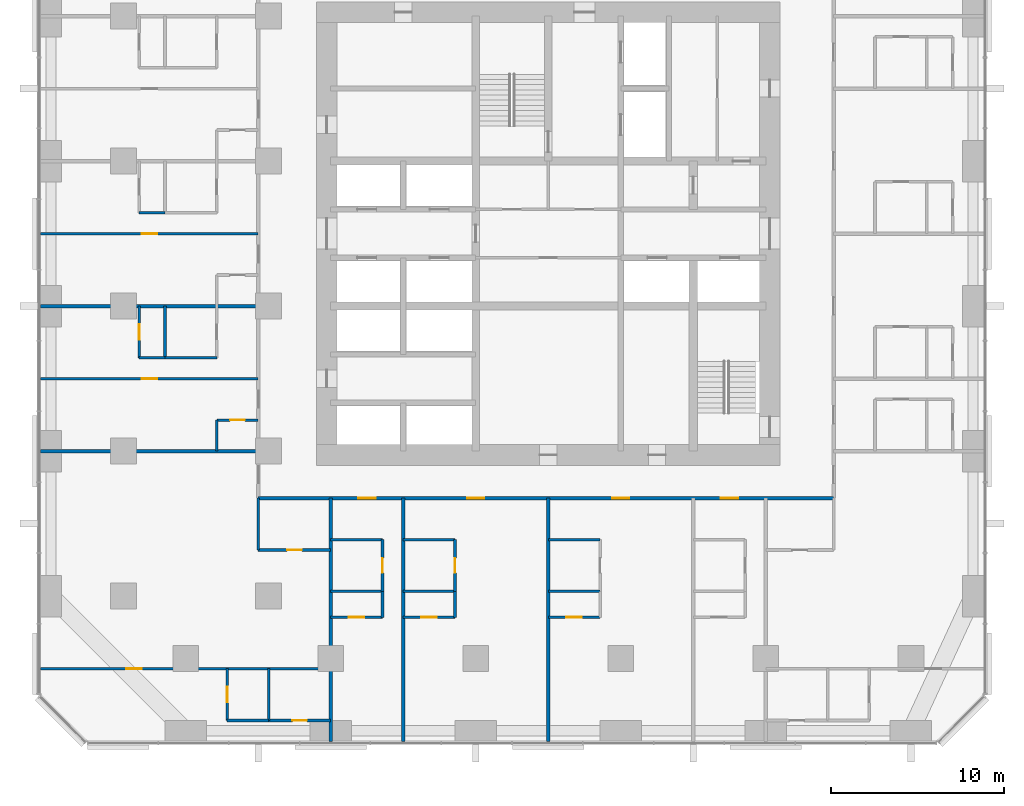
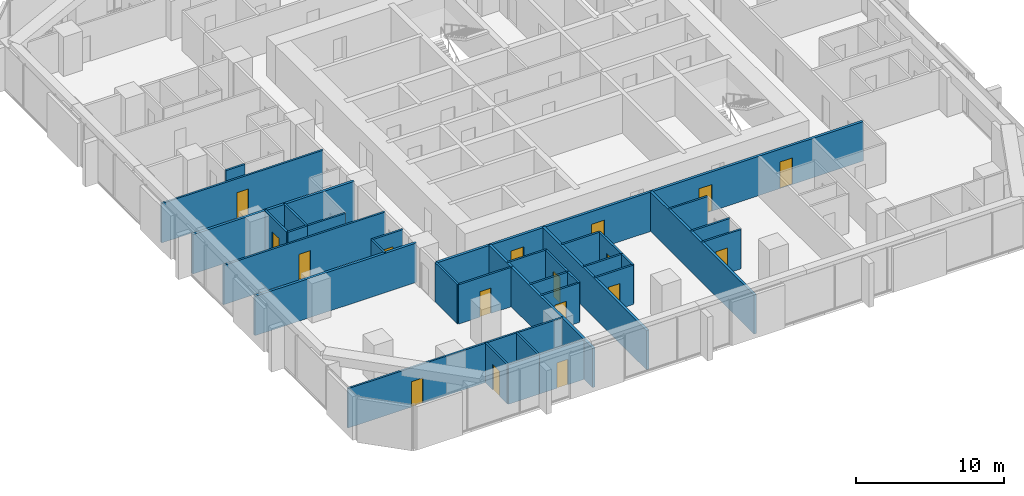
# One storey, part 8 of 14: 35 walls, 17 doors, 17 openings.
"""IFC4 building model written with IfcOpenShell, lengths in metres."""

from ifc_helpers import new_model, si_unit, direction, frame, frame_2d, origin, place, context, subcontext, project, spatial, rectangle, extrude, material, layer, layer_set, type_object, element, fill, save


model = new_model("IFC4")

# Units and contexts
model_context = context("Model", 3, precision=1e-05, world=origin(), true_north=direction((0.0, 1.0)))
body_context = subcontext(model_context, "Body", "Model", "MODEL_VIEW")
ifc_project = project(units=[si_unit("LENGTHUNIT", "METRE"), si_unit("AREAUNIT", "SQUARE_METRE"), si_unit("VOLUMEUNIT", "CUBIC_METRE"), si_unit("PLANEANGLEUNIT", "RADIAN"), si_unit("MASSUNIT", "GRAM", prefix="KILO")], contexts=[model_context])

# Site, building, storey
site_placement = place(None, origin())
site = spatial("IfcSite", under=ifc_project, at=site_placement, CompositionType="ELEMENT")
building_placement = place(site_placement, origin())
building = spatial("IfcBuilding", under=site, at=building_placement, Name="Dunama Terrace Hotel", CompositionType="ELEMENT")
storey_placement = place(building_placement, frame((0.0, 0.0, 108.0)))
storey = spatial("IfcBuildingStorey", under=building, at=storey_placement, Name="L27", CompositionType="ELEMENT", Elevation=108.0)

# Walls
ifc_material_1 = material(Name="Gypsum board partition", Category="masonry")
ifc_layer_1 = layer(ifc_material_1, 0.14990234375)
ifc_layer_set_1 = layer_set([ifc_layer_1], Name="Bathroom partition 150")
wall_type_1 = type_object("IfcWallType", Name="Bathroom partition 150", PredefinedType="PARTITIONING", material=ifc_layer_set_1)
wall_1_placement = place(storey_placement, frame((10.199951171875, 16.800048828125, 0.0), z_axis=(0.0, 0.0, 1.0), x_axis=(0.0, 1.0, 0.0)))
element("IfcWall", 1, at=wall_1_placement, inside=storey, type_object=wall_type_1, Name="Bathroom partition 150 L27", PredefinedType="PARTITIONING", context=body_context, shape_type="SweptSolid", body=[
    extrude(rectangle(XDim=1.800048828125, YDim=0.14990234375, at=frame_2d((0.89990234375, 0.0))), origin(), (0.0, 0.0, 1.0), 3.25),
])
wall_2_placement = place(storey_placement, frame((12.60009765625, 11.074951171875, 0.0), z_axis=(0.0, 0.0, 1.0), x_axis=(0.0, 1.0, 0.0)))
element("IfcWall", 2, at=wall_2_placement, inside=storey, type_object=wall_type_1, Name="Bathroom partition 150 L27", PredefinedType="PARTITIONING", context=body_context, shape_type="SweptSolid", body=[
    extrude(rectangle(XDim=3.0, YDim=0.14990234375, at=frame_2d((1.5, 0.0))), origin(), (0.0, 0.0, 1.0), 3.25),
])

# Wall, opening, door
wall_3_placement = place(storey_placement, frame((19.800048828125, 8.675048828125, 0.0), z_axis=(0.0, 0.0, 1.0), x_axis=(0.0, 1.0, 0.0)))
wall_3 = element("IfcWall", 3, at=wall_3_placement, inside=storey, type_object=wall_type_1, Name="Bathroom partition 150 L27", PredefinedType="PARTITIONING", context=body_context, shape_type="SweptSolid", body=[
    extrude(rectangle(XDim=3.0, YDim=0.14990234375, at=frame_2d((1.5, 0.0))), origin(), (0.0, 0.0, 1.0), 3.25),
])
opening_1_placement = place(wall_3_placement, frame((1.074951171875, 0.0, 0.0)))
opening_1 = element("IfcOpeningElement", 4, at=opening_1_placement, cuts=wall_3, Name="Opening L25-27-012", PredefinedType="OPENING", context=body_context, shape_type="SweptSolid", body=[
    extrude(rectangle(XDim=0.85009765625, YDim=2.10009765625, at=frame_2d((0.425048828125, 1.050048828125))), frame((0.0, 0.0849609375, 0.0), z_axis=(0.0, -1.0, 0.0), x_axis=(1.0, 0.0, 0.0)), (0.0, 0.0, 1.0), 0.169921875),
])
ifc_material_2 = material(Name="Timber door with steel frame", Category="steel")
door_type_1 = type_object("IfcDoorType", Name="Bathroom door 850", OperationType="SINGLE_SWING_LEFT", PredefinedType="DOOR", material=ifc_material_2)
door_1_placement = place(opening_1_placement, origin())
door_1 = element("IfcDoor", 5, at=door_1_placement, inside=storey, type_object=door_type_1, Name="Door to en-suite bathroom L25-27-012, type D2", OperationType="SINGLE_SWING_LEFT", OverallHeight=2.10009765625, OverallWidth=0.85009765625, PredefinedType="DOOR", context=body_context, shape_type="SweptSolid", body=[
    extrude(rectangle(XDim=0.85009765625, YDim=2.10009765625, at=frame_2d((0.425048828125, 1.050048828125))), frame((0.0, 0.02490234375, 0.0), z_axis=(0.0, -1.0, 0.0), x_axis=(1.0, 0.0, 0.0)), (0.0, 0.0, 1.0), 0.050048828125),
])
fill(opening_1, door_1)

wall_4_placement = place(storey_placement, frame((24.0, 8.675048828125, 0.0), z_axis=(0.0, 0.0, 1.0), x_axis=(0.0, 1.0, 0.0)))
wall_4 = element("IfcWall", 6, at=wall_4_placement, inside=storey, type_object=wall_type_1, Name="Bathroom partition 150 L27", PredefinedType="PARTITIONING", context=body_context, shape_type="SweptSolid", body=[
    extrude(rectangle(XDim=3.0, YDim=0.14990234375, at=frame_2d((1.5, 0.0))), origin(), (0.0, 0.0, 1.0), 3.25),
])
opening_2_placement = place(wall_4_placement, frame((1.074951171875, 0.0, 0.0)))
opening_2 = element("IfcOpeningElement", 7, at=opening_2_placement, cuts=wall_4, Name="Opening L25-27-015", PredefinedType="OPENING", context=body_context, shape_type="SweptSolid", body=[
    extrude(rectangle(XDim=0.85009765625, YDim=2.10009765625, at=frame_2d((0.425048828125, 1.050048828125))), frame((0.0, 0.0849609375, 0.0), z_axis=(0.0, -1.0, 0.0), x_axis=(1.0, 0.0, 0.0)), (0.0, 0.0, 1.0), 0.169921875),
])
door_2_placement = place(opening_2_placement, origin())
door_2 = element("IfcDoor", 8, at=door_2_placement, inside=storey, type_object=door_type_1, Name="Door to en-suite bathroom L25-27-015, type D2", OperationType="SINGLE_SWING_LEFT", OverallHeight=2.10009765625, OverallWidth=0.85009765625, PredefinedType="DOOR", context=body_context, shape_type="SweptSolid", body=[
    extrude(rectangle(XDim=0.85009765625, YDim=2.10009765625, at=frame_2d((0.425048828125, 1.050048828125))), frame((0.0, 0.02490234375, 0.0), z_axis=(0.0, -1.0, 0.0), x_axis=(1.0, 0.0, 0.0)), (0.0, 0.0, 1.0), 0.050048828125),
])
fill(opening_2, door_2)

wall_5_placement = place(storey_placement, frame((13.199951171875, 1.199951171875, 0.0), z_axis=(0.0, 0.0, 1.0), x_axis=(1.0, 0.0, 0.0)))
wall_5 = element("IfcWall", 9, at=wall_5_placement, inside=storey, type_object=wall_type_1, Name="Bathroom partition 150 L27", PredefinedType="PARTITIONING", context=body_context, shape_type="SweptSolid", body=[
    extrude(rectangle(XDim=3.60009765625, YDim=0.14990234375, at=frame_2d((1.800048828125, 0.0))), origin(), (0.0, 0.0, 1.0), 3.25),
])
opening_3_placement = place(wall_5_placement, frame((1.375, 0.0, 0.0)))
opening_3 = element("IfcOpeningElement", 10, at=opening_3_placement, cuts=wall_5, Name="Opening L25-27-062", PredefinedType="OPENING", context=body_context, shape_type="SweptSolid", body=[
    extrude(rectangle(XDim=0.85009765625, YDim=2.10009765625, at=frame_2d((0.425048828125, 1.050048828125))), frame((0.0, 0.0849609375, 0.0), z_axis=(0.0, -1.0, 0.0), x_axis=(1.0, 0.0, 0.0)), (0.0, 0.0, 1.0), 0.169921875),
])
door_3_placement = place(opening_3_placement, origin())
door_3 = element("IfcDoor", 11, at=door_3_placement, inside=storey, type_object=door_type_1, Name="Door to en-suite bathroom L25-27-062, type D2", OperationType="SINGLE_SWING_RIGHT", OverallHeight=2.10009765625, OverallWidth=0.85009765625, PredefinedType="DOOR", context=body_context, shape_type="SweptSolid", body=[
    extrude(rectangle(XDim=0.85009765625, YDim=2.10009765625, at=frame_2d((0.425048828125, 1.050048828125))), frame((0.0, 0.02490234375, 0.0), z_axis=(0.0, -1.0, 0.0), x_axis=(1.0, 0.0, 0.0)), (0.0, 0.0, 1.0), 0.050048828125),
])
fill(opening_3, door_3)

wall_6_placement = place(storey_placement, frame((12.60009765625, 11.074951171875, 0.0), z_axis=(0.0, 0.0, 1.0), x_axis=(1.0, 0.0, 0.0)))
wall_6 = element("IfcWall", 12, at=wall_6_placement, inside=storey, type_object=wall_type_1, Name="Bathroom partition 150 L27", PredefinedType="PARTITIONING", context=body_context, shape_type="SweptSolid", body=[
    extrude(rectangle(XDim=4.199951171875, YDim=0.14990234375, at=frame_2d((2.10009765625, 0.0))), origin(), (0.0, 0.0, 1.0), 3.25),
])
opening_4_placement = place(wall_6_placement, frame((1.675048828125, 0.0, 0.0)))
opening_4 = element("IfcOpeningElement", 13, at=opening_4_placement, cuts=wall_6, Name="Opening L25-27-060", PredefinedType="OPENING", context=body_context, shape_type="SweptSolid", body=[
    extrude(rectangle(XDim=0.85009765625, YDim=2.10009765625, at=frame_2d((0.425048828125, 1.050048828125))), frame((0.0, 0.0849609375, 0.0), z_axis=(0.0, -1.0, 0.0), x_axis=(1.0, 0.0, 0.0)), (0.0, 0.0, 1.0), 0.169921875),
])
door_4_placement = place(opening_4_placement, origin())
door_4 = element("IfcDoor", 14, at=door_4_placement, inside=storey, type_object=door_type_1, Name="Door to powder room L25-27-060, type D2", OperationType="SINGLE_SWING_RIGHT", OverallHeight=2.10009765625, OverallWidth=0.85009765625, PredefinedType="DOOR", context=body_context, shape_type="SweptSolid", body=[
    extrude(rectangle(XDim=0.85009765625, YDim=2.10009765625, at=frame_2d((0.425048828125, 1.050048828125))), frame((0.0, 0.02490234375, 0.0), z_axis=(0.0, -1.0, 0.0), x_axis=(1.0, 0.0, 0.0)), (0.0, 0.0, 1.0), 0.050048828125),
])
fill(opening_4, door_4)

# Walls
for number, where, z_axis, x_axis, name in (
    (15, (16.800048828125, 11.675048828125, 0.0), (0.0, 0.0, 1.0), (1.0, 0.0, 0.0), "Bathroom partition 150 L27"),
    (16, (21.0, 11.675048828125, 0.0), (0.0, 0.0, 1.0), (1.0, 0.0, 0.0), "Bathroom partition 150 L27"),
    (17, (29.39990234375, 11.675048828125, 0.0), (0.0, 0.0, 1.0), (1.0, 0.0, 0.0), "Bathroom partition 150 L27"),
):
    element("IfcWall", number, at=place(storey_placement, frame(where, z_axis=z_axis, x_axis=x_axis)), inside=storey, type_object=wall_type_1, Name=name, PredefinedType="PARTITIONING", context=body_context, shape_type="SweptSolid", body=[
        extrude(rectangle(XDim=3.0, YDim=0.14990234375, at=frame_2d((1.5, 0.0))), origin(), (0.0, 0.0, 1.0), 3.25),
    ])

# Wall, opening, door
wall_7_placement = place(storey_placement, frame((10.199951171875, 18.60009765625, 0.0), z_axis=(0.0, 0.0, 1.0), x_axis=(1.0, 0.0, 0.0)))
wall_7 = element("IfcWall", 18, at=wall_7_placement, inside=storey, type_object=wall_type_1, Name="Bathroom partition 150 L27", PredefinedType="PARTITIONING", context=body_context, shape_type="SweptSolid", body=[
    extrude(rectangle(XDim=2.400146484375, YDim=0.14990234375, at=frame_2d((1.2001953125, 0.0))), origin(), (0.0, 0.0, 1.0), 3.25),
])
opening_5_placement = place(wall_7_placement, frame((0.77490234375, 0.0, 0.0)))
opening_5 = element("IfcOpeningElement", 19, at=opening_5_placement, cuts=wall_7, Name="Opening L25-27-045", PredefinedType="OPENING", context=body_context, shape_type="SweptSolid", body=[
    extrude(rectangle(XDim=0.85009765625, YDim=2.10009765625, at=frame_2d((0.425048828125, 1.050048828125))), frame((0.0, 0.0849609375, 0.0), z_axis=(0.0, -1.0, 0.0), x_axis=(1.0, 0.0, 0.0)), (0.0, 0.0, 1.0), 0.169921875),
])
door_5_placement = place(opening_5_placement, frame((0.85009765625, 0.0, 0.0), z_axis=(0.0, 0.0, 1.0), x_axis=(-1.0, 0.0, 0.0)))
door_5 = element("IfcDoor", 20, at=door_5_placement, inside=storey, type_object=door_type_1, Name="Door to powder room L25-27-045, type D2", OperationType="SINGLE_SWING_LEFT", OverallHeight=2.10009765625, OverallWidth=0.85009765625, PredefinedType="DOOR", context=body_context, shape_type="SweptSolid", body=[
    extrude(rectangle(XDim=0.85009765625, YDim=2.10009765625, at=frame_2d((0.425048828125, 1.050048828125))), frame((0.0, 0.025146484375, 0.0), z_axis=(0.0, -1.0, 0.0), x_axis=(1.0, 0.0, 0.0)), (0.0, 0.0, 1.0), 0.050048828125),
])
fill(opening_5, door_5)

# Wall
wall_8_placement = place(storey_placement, frame((7.199951171875, 22.199951171875, 0.0), z_axis=(0.0, 0.0, 1.0), x_axis=(1.0, 0.0, 0.0)))
element("IfcWall", 21, at=wall_8_placement, inside=storey, type_object=wall_type_1, Name="Bathroom partition 150 L27", PredefinedType="PARTITIONING", context=body_context, shape_type="SweptSolid", body=[
    extrude(rectangle(XDim=3.0, YDim=0.14990234375, at=frame_2d((1.5, 0.0))), origin(), (0.0, 0.0, 1.0), 3.25),
])

# Wall, openings, doors
ifc_material_3 = material(Name="Concrete blockwork", Category="masonry")
ifc_layer_2 = layer(ifc_material_3, 0.199951171875)
ifc_layer_set_2 = layer_set([ifc_layer_2], Name="Corridor partition 200")
wall_type_2 = type_object("IfcWallType", Name="Corridor partition 200", PredefinedType="PARTITIONING", material=ifc_layer_set_2)
wall_9_placement = place(storey_placement, frame((45.925048828125, 14.074951171875, 0.0), z_axis=(0.0, 0.0, 1.0), x_axis=(-1.0, 0.0, 0.0)))
wall_9 = element("IfcWall", 22, at=wall_9_placement, inside=storey, type_object=wall_type_2, Name="Corridor partition 200 L27", PredefinedType="PARTITIONING", context=body_context, shape_type="SweptSolid", body=[
    extrude(rectangle(XDim=33.324951171875, YDim=0.199951171875, at=frame_2d((16.66259765625, 0.0))), origin(), (0.0, 0.0, 1.0), 3.25),
])
opening_6_placement = place(wall_9_placement, frame((26.52490234375, 0.0, 0.0)))
opening_6 = element("IfcOpeningElement", 23, at=opening_6_placement, cuts=wall_9, Name="Opening L25-27-011", PredefinedType="OPENING", context=body_context, shape_type="SweptSolid", body=[
    extrude(rectangle(XDim=1.0, YDim=2.199951171875, at=frame_2d((0.5, 1.10009765625))), frame((0.0, 0.10986328125, 0.0), z_axis=(0.0, -1.0, 0.0), x_axis=(1.0, 0.0, 0.0)), (0.0, 0.0, 1.0), 0.219970703125),
])
opening_7_placement = place(wall_9_placement, frame((20.22509765625, 0.0, 0.0)))
opening_7 = element("IfcOpeningElement", 24, at=opening_7_placement, cuts=wall_9, Name="Opening L25-27-014", PredefinedType="OPENING", context=body_context, shape_type="SweptSolid", body=[
    extrude(rectangle(XDim=1.0, YDim=2.199951171875, at=frame_2d((0.5, 1.10009765625))), frame((0.0, 0.10986328125, 0.0), z_axis=(0.0, -1.0, 0.0), x_axis=(1.0, 0.0, 0.0)), (0.0, 0.0, 1.0), 0.219970703125),
])
opening_8_placement = place(wall_9_placement, frame((11.824951171875, 0.0, 0.0)))
opening_8 = element("IfcOpeningElement", 25, at=opening_8_placement, cuts=wall_9, Name="Opening L25-27-017", PredefinedType="OPENING", context=body_context, shape_type="SweptSolid", body=[
    extrude(rectangle(XDim=1.0, YDim=2.199951171875, at=frame_2d((0.5, 1.10009765625))), frame((0.0, 0.10986328125, 0.0), z_axis=(0.0, -1.0, 0.0), x_axis=(1.0, 0.0, 0.0)), (0.0, 0.0, 1.0), 0.219970703125),
])
opening_9_placement = place(wall_9_placement, frame((5.52490234375, 0.0, 0.0)))
opening_9 = element("IfcOpeningElement", 26, at=opening_9_placement, cuts=wall_9, Name="Opening L25-27-020", PredefinedType="OPENING", context=body_context, shape_type="SweptSolid", body=[
    extrude(rectangle(XDim=1.0, YDim=2.199951171875, at=frame_2d((0.5, 1.10009765625))), frame((0.0, 0.10986328125, 0.0), z_axis=(0.0, -1.0, 0.0), x_axis=(1.0, 0.0, 0.0)), (0.0, 0.0, 1.0), 0.219970703125),
])
ifc_material_4 = material(Name="Timber door with steel frame", Category="steel")
door_type_2 = type_object("IfcDoorType", Name="Guest room door 1000", OperationType="SINGLE_SWING_LEFT", PredefinedType="DOOR", material=ifc_material_4)
door_6_placement = place(opening_6_placement, origin())
door_6 = element("IfcDoor", 27, at=door_6_placement, inside=storey, type_object=door_type_2, Name="Door to premier room L25-27-011, type D1", OperationType="SINGLE_SWING_LEFT", OverallHeight=2.199951171875, OverallWidth=1.0, PredefinedType="DOOR", context=body_context, shape_type="SweptSolid", body=[
    extrude(rectangle(XDim=1.0, YDim=2.199951171875, at=frame_2d((0.5, 1.10009765625))), frame((0.0, 0.02490234375, 0.0), z_axis=(0.0, -1.0, 0.0), x_axis=(1.0, 0.0, 0.0)), (0.0, 0.0, 1.0), 0.050048828125),
])
fill(opening_6, door_6)
door_7_placement = place(opening_7_placement, origin())
door_7 = element("IfcDoor", 28, at=door_7_placement, inside=storey, type_object=door_type_2, Name="Door to junior suite L25-27-014, type D1", OperationType="SINGLE_SWING_RIGHT", OverallHeight=2.199951171875, OverallWidth=1.0, PredefinedType="DOOR", context=body_context, shape_type="SweptSolid", body=[
    extrude(rectangle(XDim=1.0, YDim=2.199951171875, at=frame_2d((0.5, 1.10009765625))), frame((0.0, 0.02490234375, 0.0), z_axis=(0.0, -1.0, 0.0), x_axis=(1.0, 0.0, 0.0)), (0.0, 0.0, 1.0), 0.050048828125),
])
fill(opening_7, door_7)
door_8_placement = place(opening_8_placement, origin())
door_8 = element("IfcDoor", 29, at=door_8_placement, inside=storey, type_object=door_type_2, Name="Door to junior suite L25-27-017, type D1", OperationType="SINGLE_SWING_RIGHT", OverallHeight=2.199951171875, OverallWidth=1.0, PredefinedType="DOOR", context=body_context, shape_type="SweptSolid", body=[
    extrude(rectangle(XDim=1.0, YDim=2.199951171875, at=frame_2d((0.5, 1.10009765625))), frame((0.0, 0.02490234375, 0.0), z_axis=(0.0, -1.0, 0.0), x_axis=(1.0, 0.0, 0.0)), (0.0, 0.0, 1.0), 0.050048828125),
])
fill(opening_8, door_8)
door_9_placement = place(opening_9_placement, origin())
door_9 = element("IfcDoor", 30, at=door_9_placement, inside=storey, type_object=door_type_2, Name="Door to premier room L25-27-020, type D1", OperationType="SINGLE_SWING_LEFT", OverallHeight=2.199951171875, OverallWidth=1.0, PredefinedType="DOOR", context=body_context, shape_type="SweptSolid", body=[
    extrude(rectangle(XDim=1.0, YDim=2.199951171875, at=frame_2d((0.5, 1.10009765625))), frame((0.0, 0.02490234375, 0.0), z_axis=(0.0, -1.0, 0.0), x_axis=(1.0, 0.0, 0.0)), (0.0, 0.0, 1.0), 0.050048828125),
])
fill(opening_9, door_9)

# Walls
ifc_material_5 = material(Name="Concrete blockwork", Category="masonry")
ifc_layer_3 = layer(ifc_material_5, 0.199951171875)
ifc_layer_set_3 = layer_set([ifc_layer_3], Name="Party wall 200")
wall_type_3 = type_object("IfcWallType", Name="Party wall 200", PredefinedType="PARTITIONING", material=ifc_layer_set_3)
for number, where, z_axis, x_axis, name in (
    (31, (16.800048828125, -0.01806640625, 0.0), (0.0, 0.0, 1.0), (0.0, 1.0, 0.0), "Party wall 200 L27"),
    (32, (21.0, -0.01806640625, 0.0), (0.0, 0.0, 1.0), (0.0, 1.0, 0.0), "Party wall 200 L27"),
    (33, (29.39990234375, -0.01806640625, 0.0), (0.0, 0.0, 1.0), (0.0, 1.0, 0.0), "Party wall 200 L27"),
):
    element("IfcWall", number, at=place(storey_placement, frame(where, z_axis=z_axis, x_axis=x_axis)), inside=storey, type_object=wall_type_3, Name=name, PredefinedType="PARTITIONING", context=body_context, shape_type="SweptSolid", body=[
        extrude(rectangle(XDim=14.093017578125, YDim=0.199951171875, at=frame_2d((7.04638671875, 0.0))), origin(), (0.0, 0.0, 1.0), 3.25),
    ])
for number, where, z_axis, x_axis, name in (
    (34, (-0.01806640625, 16.800048828125, 0.0), (0.0, 0.0, 1.0), (1.0, 0.0, 0.0), "Party wall 200 L27"),
    (35, (-0.01806640625, 25.199951171875, 0.0), (0.0, 0.0, 1.0), (1.0, 0.0, 0.0), "Party wall 200 L27"),
):
    element("IfcWall", number, at=place(storey_placement, frame(where, z_axis=z_axis, x_axis=x_axis)), inside=storey, type_object=wall_type_3, Name=name, PredefinedType="PARTITIONING", context=body_context, shape_type="SweptSolid", body=[
        extrude(rectangle(XDim=12.6181640625, YDim=0.199951171875, at=frame_2d((6.30908203125, 0.0))), origin(), (0.0, 0.0, 1.0), 3.25),
    ])

# Wall, opening, door
ifc_material_6 = material(Name="Gypsum board partition", Category="masonry")
ifc_layer_4 = layer(ifc_material_6, 0.14990234375)
ifc_layer_set_4 = layer_set([ifc_layer_4], Name="Room partition 150")
wall_type_4 = type_object("IfcWallType", Name="Room partition 150", PredefinedType="PARTITIONING", material=ifc_layer_set_4)
wall_10_placement = place(storey_placement, frame((5.699951171875, 22.199951171875, 0.0), z_axis=(0.0, 0.0, 1.0), x_axis=(0.0, 1.0, 0.0)))
wall_10 = element("IfcWall", 36, at=wall_10_placement, inside=storey, type_object=wall_type_4, Name="Room partition 150 L27", PredefinedType="PARTITIONING", context=body_context, shape_type="SweptSolid", body=[
    extrude(rectangle(XDim=3.0, YDim=0.14990234375, at=frame_2d((1.5, 0.0))), origin(), (0.0, 0.0, 1.0), 3.25),
])
opening_10_placement = place(wall_10_placement, frame((1.050048828125, 0.0, 0.0)))
opening_10 = element("IfcOpeningElement", 37, at=opening_10_placement, cuts=wall_10, Name="Opening L25-27-048", PredefinedType="OPENING", context=body_context, shape_type="SweptSolid", body=[
    extrude(rectangle(XDim=0.89990234375, YDim=2.10009765625, at=frame_2d((0.449951171875, 1.050048828125))), frame((0.0, 0.0849609375, 0.0), z_axis=(0.0, -1.0, 0.0), x_axis=(1.0, 0.0, 0.0)), (0.0, 0.0, 1.0), 0.169921875),
])
ifc_material_7 = material(Name="Timber door with steel frame", Category="steel")
door_type_3 = type_object("IfcDoorType", Name="Suite internal door 900", OperationType="SINGLE_SWING_LEFT", PredefinedType="DOOR", material=ifc_material_7)
door_10_placement = place(opening_10_placement, frame((0.89990234375, 0.0, 0.0), z_axis=(0.0, 0.0, 1.0), x_axis=(-1.0, 0.0, 0.0)))
door_10 = element("IfcDoor", 38, at=door_10_placement, inside=storey, type_object=door_type_3, Name="Door to walk-in wardrobe L25-27-048, type D16", OperationType="SINGLE_SWING_LEFT", OverallHeight=2.10009765625, OverallWidth=0.89990234375, PredefinedType="DOOR", context=body_context, shape_type="SweptSolid", body=[
    extrude(rectangle(XDim=0.89990234375, YDim=2.10009765625, at=frame_2d((0.449951171875, 1.050048828125))), frame((0.0, 0.025146484375, 0.0), z_axis=(0.0, -1.0, 0.0), x_axis=(1.0, 0.0, 0.0)), (0.0, 0.0, 1.0), 0.050048828125),
])
fill(opening_10, door_10)

# Wall
wall_11_placement = place(storey_placement, frame((7.199951171875, 22.199951171875, 0.0), z_axis=(0.0, 0.0, 1.0), x_axis=(0.0, 1.0, 0.0)))
element("IfcWall", 39, at=wall_11_placement, inside=storey, type_object=wall_type_4, Name="Room partition 150 L27", PredefinedType="PARTITIONING", context=body_context, shape_type="SweptSolid", body=[
    extrude(rectangle(XDim=3.0, YDim=0.14990234375, at=frame_2d((1.5, 0.0))), origin(), (0.0, 0.0, 1.0), 3.25),
])

# Wall, opening, door
wall_12_placement = place(storey_placement, frame((10.800048828125, 1.199951171875, 0.0), z_axis=(0.0, 0.0, 1.0), x_axis=(0.0, 1.0, 0.0)))
wall_12 = element("IfcWall", 40, at=wall_12_placement, inside=storey, type_object=wall_type_4, Name="Room partition 150 L27", PredefinedType="PARTITIONING", context=body_context, shape_type="SweptSolid", body=[
    extrude(rectangle(XDim=3.0, YDim=0.14990234375, at=frame_2d((1.5, 0.0))), origin(), (0.0, 0.0, 1.0), 3.25),
])
opening_11_placement = place(wall_12_placement, frame((1.050048828125, 0.0, 0.0)))
opening_11 = element("IfcOpeningElement", 41, at=opening_11_placement, cuts=wall_12, Name="Opening L25-27-063", PredefinedType="OPENING", context=body_context, shape_type="SweptSolid", body=[
    extrude(rectangle(XDim=0.89990234375, YDim=2.10009765625, at=frame_2d((0.449951171875, 1.050048828125))), frame((0.0, 0.0849609375, 0.0), z_axis=(0.0, -1.0, 0.0), x_axis=(1.0, 0.0, 0.0)), (0.0, 0.0, 1.0), 0.169921875),
])
door_11_placement = place(opening_11_placement, frame((0.89990234375, 0.0, 0.0), z_axis=(0.0, 0.0, 1.0), x_axis=(-1.0, 0.0, 0.0)))
door_11 = element("IfcDoor", 42, at=door_11_placement, inside=storey, type_object=door_type_3, Name="Door to dressing room L25-27-063, type D16", OperationType="SINGLE_SWING_LEFT", OverallHeight=2.10009765625, OverallWidth=0.89990234375, PredefinedType="DOOR", context=body_context, shape_type="SweptSolid", body=[
    extrude(rectangle(XDim=0.89990234375, YDim=2.10009765625, at=frame_2d((0.449951171875, 1.050048828125))), frame((0.0, 0.025146484375, 0.0), z_axis=(0.0, -1.0, 0.0), x_axis=(1.0, 0.0, 0.0)), (0.0, 0.0, 1.0), 0.050048828125),
])
fill(opening_11, door_11)

# Walls
wall_13_placement = place(storey_placement, frame((13.199951171875, 1.199951171875, 0.0), z_axis=(0.0, 0.0, 1.0), x_axis=(0.0, 1.0, 0.0)))
element("IfcWall", 43, at=wall_13_placement, inside=storey, type_object=wall_type_4, Name="Room partition 150 L27", PredefinedType="PARTITIONING", context=body_context, shape_type="SweptSolid", body=[
    extrude(rectangle(XDim=3.0, YDim=0.14990234375, at=frame_2d((1.5, 0.0))), origin(), (0.0, 0.0, 1.0), 3.25),
])
for number, where, z_axis, x_axis, name in (
    (44, (19.800048828125, 7.175048828125, 0.0), (0.0, 0.0, 1.0), (0.0, 1.0, 0.0), "Room partition 150 L27"),
    (45, (24.0, 7.175048828125, 0.0), (0.0, 0.0, 1.0), (0.0, 1.0, 0.0), "Room partition 150 L27"),
):
    element("IfcWall", number, at=place(storey_placement, frame(where, z_axis=z_axis, x_axis=x_axis)), inside=storey, type_object=wall_type_4, Name=name, PredefinedType="PARTITIONING", context=body_context, shape_type="SweptSolid", body=[
        extrude(rectangle(XDim=1.5, YDim=0.14990234375, at=frame_2d((0.75, 0.0))), origin(), (0.0, 0.0, 1.0), 3.25),
    ])
wall_14_placement = place(storey_placement, frame((10.800048828125, 1.199951171875, 0.0), z_axis=(0.0, 0.0, 1.0), x_axis=(1.0, 0.0, 0.0)))
element("IfcWall", 46, at=wall_14_placement, inside=storey, type_object=wall_type_4, Name="Room partition 150 L27", PredefinedType="PARTITIONING", context=body_context, shape_type="SweptSolid", body=[
    extrude(rectangle(XDim=2.39990234375, YDim=0.14990234375, at=frame_2d((1.199951171875, 0.0))), origin(), (0.0, 0.0, 1.0), 3.25),
])

# Wall, opening, door
wall_15_placement = place(storey_placement, frame((-0.01806640625, 4.199951171875, 0.0), z_axis=(0.0, 0.0, 1.0), x_axis=(1.0, 0.0, 0.0)))
wall_15 = element("IfcWall", 47, at=wall_15_placement, inside=storey, type_object=wall_type_4, Name="Room partition 150 L27", PredefinedType="PARTITIONING", context=body_context, shape_type="SweptSolid", body=[
    extrude(rectangle(XDim=16.818115234375, YDim=0.14990234375, at=frame_2d((8.4091796875, 0.0))), origin(), (0.0, 0.0, 1.0), 3.25),
])
opening_12_placement = place(wall_15_placement, frame((4.968017578125, 0.0, 0.0)))
opening_12 = element("IfcOpeningElement", 48, at=opening_12_placement, cuts=wall_15, Name="Opening L25-27-061", PredefinedType="OPENING", context=body_context, shape_type="SweptSolid", body=[
    extrude(rectangle(XDim=0.89990234375, YDim=2.10009765625, at=frame_2d((0.449951171875, 1.050048828125))), frame((0.0, 0.0849609375, 0.0), z_axis=(0.0, -1.0, 0.0), x_axis=(1.0, 0.0, 0.0)), (0.0, 0.0, 1.0), 0.169921875),
])
door_12_placement = place(opening_12_placement, frame((0.89990234375, 0.0, 0.0), z_axis=(0.0, 0.0, 1.0), x_axis=(-1.0, 0.0, 0.0)))
door_12 = element("IfcDoor", 49, at=door_12_placement, inside=storey, type_object=door_type_3, Name="Door to corner suite bedroom L25-27-061, type D16", OperationType="SINGLE_SWING_LEFT", OverallHeight=2.10009765625, OverallWidth=0.89990234375, PredefinedType="DOOR", context=body_context, shape_type="SweptSolid", body=[
    extrude(rectangle(XDim=0.89990234375, YDim=2.10009765625, at=frame_2d((0.449951171875, 1.050048828125))), frame((0.0, 0.025146484375, 0.0), z_axis=(0.0, -1.0, 0.0), x_axis=(1.0, 0.0, 0.0)), (0.0, 0.0, 1.0), 0.050048828125),
])
fill(opening_12, door_12)

wall_16_placement = place(storey_placement, frame((16.800048828125, 7.175048828125, 0.0), z_axis=(0.0, 0.0, 1.0), x_axis=(1.0, 0.0, 0.0)))
wall_16 = element("IfcWall", 50, at=wall_16_placement, inside=storey, type_object=wall_type_4, Name="Room partition 150 L27", PredefinedType="PARTITIONING", context=body_context, shape_type="SweptSolid", body=[
    extrude(rectangle(XDim=3.0, YDim=0.14990234375, at=frame_2d((1.5, 0.0))), origin(), (0.0, 0.0, 1.0), 3.25),
])
opening_13_placement = place(wall_16_placement, frame((1.050048828125, 0.0, 0.0)))
opening_13 = element("IfcOpeningElement", 51, at=opening_13_placement, cuts=wall_16, Name="Opening L25-27-013", PredefinedType="OPENING", context=body_context, shape_type="SweptSolid", body=[
    extrude(rectangle(XDim=0.89990234375, YDim=2.10009765625, at=frame_2d((0.449951171875, 1.050048828125))), frame((0.0, 0.0849609375, 0.0), z_axis=(0.0, -1.0, 0.0), x_axis=(1.0, 0.0, 0.0)), (0.0, 0.0, 1.0), 0.169921875),
])
door_13_placement = place(opening_13_placement, origin())
door_13 = element("IfcDoor", 52, at=door_13_placement, inside=storey, type_object=door_type_3, Name="Door to walk-in wardrobe L25-27-013, type D16", OperationType="SINGLE_SWING_LEFT", OverallHeight=2.10009765625, OverallWidth=0.89990234375, PredefinedType="DOOR", context=body_context, shape_type="SweptSolid", body=[
    extrude(rectangle(XDim=0.89990234375, YDim=2.10009765625, at=frame_2d((0.449951171875, 1.050048828125))), frame((0.0, 0.02490234375, 0.0), z_axis=(0.0, -1.0, 0.0), x_axis=(1.0, 0.0, 0.0)), (0.0, 0.0, 1.0), 0.050048828125),
])
fill(opening_13, door_13)

wall_17_placement = place(storey_placement, frame((21.0, 7.175048828125, 0.0), z_axis=(0.0, 0.0, 1.0), x_axis=(1.0, 0.0, 0.0)))
wall_17 = element("IfcWall", 53, at=wall_17_placement, inside=storey, type_object=wall_type_4, Name="Room partition 150 L27", PredefinedType="PARTITIONING", context=body_context, shape_type="SweptSolid", body=[
    extrude(rectangle(XDim=3.0, YDim=0.14990234375, at=frame_2d((1.5, 0.0))), origin(), (0.0, 0.0, 1.0), 3.25),
])
opening_14_placement = place(wall_17_placement, frame((1.050048828125, 0.0, 0.0)))
opening_14 = element("IfcOpeningElement", 54, at=opening_14_placement, cuts=wall_17, Name="Opening L25-27-016", PredefinedType="OPENING", context=body_context, shape_type="SweptSolid", body=[
    extrude(rectangle(XDim=0.89990234375, YDim=2.10009765625, at=frame_2d((0.449951171875, 1.050048828125))), frame((0.0, 0.0849609375, 0.0), z_axis=(0.0, -1.0, 0.0), x_axis=(1.0, 0.0, 0.0)), (0.0, 0.0, 1.0), 0.169921875),
])
door_14_placement = place(opening_14_placement, origin())
door_14 = element("IfcDoor", 55, at=door_14_placement, inside=storey, type_object=door_type_3, Name="Door to walk-in wardrobe L25-27-016, type D16", OperationType="SINGLE_SWING_LEFT", OverallHeight=2.10009765625, OverallWidth=0.89990234375, PredefinedType="DOOR", context=body_context, shape_type="SweptSolid", body=[
    extrude(rectangle(XDim=0.89990234375, YDim=2.10009765625, at=frame_2d((0.449951171875, 1.050048828125))), frame((0.0, 0.02490234375, 0.0), z_axis=(0.0, -1.0, 0.0), x_axis=(1.0, 0.0, 0.0)), (0.0, 0.0, 1.0), 0.050048828125),
])
fill(opening_14, door_14)

wall_18_placement = place(storey_placement, frame((29.39990234375, 7.175048828125, 0.0), z_axis=(0.0, 0.0, 1.0), x_axis=(1.0, 0.0, 0.0)))
wall_18 = element("IfcWall", 56, at=wall_18_placement, inside=storey, type_object=wall_type_4, Name="Room partition 150 L27", PredefinedType="PARTITIONING", context=body_context, shape_type="SweptSolid", body=[
    extrude(rectangle(XDim=3.0, YDim=0.14990234375, at=frame_2d((1.5, 0.0))), origin(), (0.0, 0.0, 1.0), 3.25),
])
opening_15_placement = place(wall_18_placement, frame((1.050048828125, 0.0, 0.0)))
opening_15 = element("IfcOpeningElement", 57, at=opening_15_placement, cuts=wall_18, Name="Opening L25-27-019", PredefinedType="OPENING", context=body_context, shape_type="SweptSolid", body=[
    extrude(rectangle(XDim=0.89990234375, YDim=2.10009765625, at=frame_2d((0.449951171875, 1.050048828125))), frame((0.0, 0.0849609375, 0.0), z_axis=(0.0, -1.0, 0.0), x_axis=(1.0, 0.0, 0.0)), (0.0, 0.0, 1.0), 0.169921875),
])
door_15_placement = place(opening_15_placement, origin())
door_15 = element("IfcDoor", 58, at=door_15_placement, inside=storey, type_object=door_type_3, Name="Door to walk-in wardrobe L25-27-019, type D16", OperationType="SINGLE_SWING_LEFT", OverallHeight=2.10009765625, OverallWidth=0.89990234375, PredefinedType="DOOR", context=body_context, shape_type="SweptSolid", body=[
    extrude(rectangle(XDim=0.89990234375, YDim=2.10009765625, at=frame_2d((0.449951171875, 1.050048828125))), frame((0.0, 0.02490234375, 0.0), z_axis=(0.0, -1.0, 0.0), x_axis=(1.0, 0.0, 0.0)), (0.0, 0.0, 1.0), 0.050048828125),
])
fill(opening_15, door_15)

# Walls
for number, where, z_axis, x_axis, name in (
    (59, (16.800048828125, 8.675048828125, 0.0), (0.0, 0.0, 1.0), (1.0, 0.0, 0.0), "Room partition 150 L27"),
    (60, (21.0, 8.675048828125, 0.0), (0.0, 0.0, 1.0), (1.0, 0.0, 0.0), "Room partition 150 L27"),
    (61, (29.39990234375, 8.675048828125, 0.0), (0.0, 0.0, 1.0), (1.0, 0.0, 0.0), "Room partition 150 L27"),
):
    element("IfcWall", number, at=place(storey_placement, frame(where, z_axis=z_axis, x_axis=x_axis)), inside=storey, type_object=wall_type_4, Name=name, PredefinedType="PARTITIONING", context=body_context, shape_type="SweptSolid", body=[
        extrude(rectangle(XDim=3.0, YDim=0.14990234375, at=frame_2d((1.5, 0.0))), origin(), (0.0, 0.0, 1.0), 3.25),
    ])

# Wall, opening, door
wall_19_placement = place(storey_placement, frame((-0.01806640625, 21.0, 0.0), z_axis=(0.0, 0.0, 1.0), x_axis=(1.0, 0.0, 0.0)))
wall_19 = element("IfcWall", 62, at=wall_19_placement, inside=storey, type_object=wall_type_4, Name="Room partition 150 L27", PredefinedType="PARTITIONING", context=body_context, shape_type="SweptSolid", body=[
    extrude(rectangle(XDim=12.6181640625, YDim=0.14990234375, at=frame_2d((6.30908203125, 0.0))), origin(), (0.0, 0.0, 1.0), 3.25),
])
opening_16_placement = place(wall_19_placement, frame((5.867919921875, 0.0, 0.0)))
opening_16 = element("IfcOpeningElement", 63, at=opening_16_placement, cuts=wall_19, Name="Opening L25-27-046", PredefinedType="OPENING", context=body_context, shape_type="SweptSolid", body=[
    extrude(rectangle(XDim=0.89990234375, YDim=2.10009765625, at=frame_2d((0.449951171875, 1.050048828125))), frame((0.0, 0.0849609375, 0.0), z_axis=(0.0, -1.0, 0.0), x_axis=(1.0, 0.0, 0.0)), (0.0, 0.0, 1.0), 0.169921875),
])
door_16_placement = place(opening_16_placement, origin())
door_16 = element("IfcDoor", 64, at=door_16_placement, inside=storey, type_object=door_type_3, Name="Door to premier suite bedroom L25-27-046, type D16", OperationType="SINGLE_SWING_LEFT", OverallHeight=2.10009765625, OverallWidth=0.89990234375, PredefinedType="DOOR", context=body_context, shape_type="SweptSolid", body=[
    extrude(rectangle(XDim=0.89990234375, YDim=2.10009765625, at=frame_2d((0.449951171875, 1.050048828125))), frame((0.0, 0.02490234375, 0.0), z_axis=(0.0, -1.0, 0.0), x_axis=(1.0, 0.0, 0.0)), (0.0, 0.0, 1.0), 0.050048828125),
])
fill(opening_16, door_16)

# Wall
wall_20_placement = place(storey_placement, frame((5.699951171875, 22.199951171875, 0.0), z_axis=(0.0, 0.0, 1.0), x_axis=(1.0, 0.0, 0.0)))
element("IfcWall", 65, at=wall_20_placement, inside=storey, type_object=wall_type_4, Name="Room partition 150 L27", PredefinedType="PARTITIONING", context=body_context, shape_type="SweptSolid", body=[
    extrude(rectangle(XDim=1.5, YDim=0.14990234375, at=frame_2d((0.75, 0.0))), origin(), (0.0, 0.0, 1.0), 3.25),
])

# Wall, opening, door
wall_21_placement = place(storey_placement, frame((-0.01806640625, 29.39990234375, 0.0), z_axis=(0.0, 0.0, 1.0), x_axis=(1.0, 0.0, 0.0)))
wall_21 = element("IfcWall", 66, at=wall_21_placement, inside=storey, type_object=wall_type_4, Name="Room partition 150 L27", PredefinedType="PARTITIONING", context=body_context, shape_type="SweptSolid", body=[
    extrude(rectangle(XDim=12.6181640625, YDim=0.14990234375, at=frame_2d((6.30908203125, 0.0))), origin(), (0.0, 0.0, 1.0), 3.25),
])
opening_17_placement = place(wall_21_placement, frame((5.867919921875, 0.0, 0.0)))
opening_17 = element("IfcOpeningElement", 67, at=opening_17_placement, cuts=wall_21, Name="Opening L25-27-051", PredefinedType="OPENING", context=body_context, shape_type="SweptSolid", body=[
    extrude(rectangle(XDim=0.89990234375, YDim=2.10009765625, at=frame_2d((0.449951171875, 1.050048828125))), frame((0.0, 0.0849609375, 0.0), z_axis=(0.0, -1.0, 0.0), x_axis=(1.0, 0.0, 0.0)), (0.0, 0.0, 1.0), 0.169921875),
])
door_17_placement = place(opening_17_placement, origin())
door_17 = element("IfcDoor", 68, at=door_17_placement, inside=storey, type_object=door_type_3, Name="Door to premier suite bedroom L25-27-051, type D16", OperationType="SINGLE_SWING_LEFT", OverallHeight=2.10009765625, OverallWidth=0.89990234375, PredefinedType="DOOR", context=body_context, shape_type="SweptSolid", body=[
    extrude(rectangle(XDim=0.89990234375, YDim=2.10009765625, at=frame_2d((0.449951171875, 1.050048828125))), frame((0.0, 0.02490234375, 0.0), z_axis=(0.0, -1.0, 0.0), x_axis=(1.0, 0.0, 0.0)), (0.0, 0.0, 1.0), 0.050048828125),
])
fill(opening_17, door_17)

# Wall
wall_22_placement = place(storey_placement, frame((5.699951171875, 30.60009765625, 0.0), z_axis=(0.0, 0.0, 1.0), x_axis=(1.0, 0.0, 0.0)))
element("IfcWall", 69, at=wall_22_placement, inside=storey, type_object=wall_type_4, Name="Room partition 150 L27", PredefinedType="PARTITIONING", context=body_context, shape_type="SweptSolid", body=[
    extrude(rectangle(XDim=1.5, YDim=0.14990234375, at=frame_2d((0.75, 0.0))), origin(), (0.0, 0.0, 1.0), 3.25),
])

save(model, "model.ifc")
